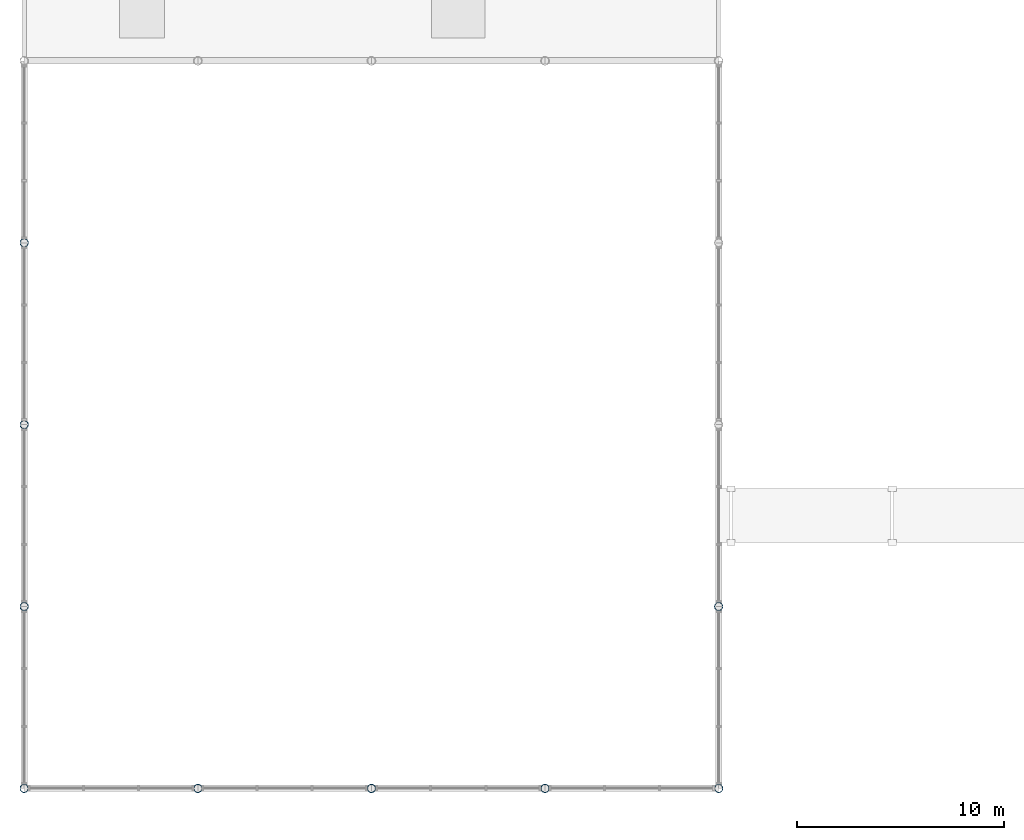
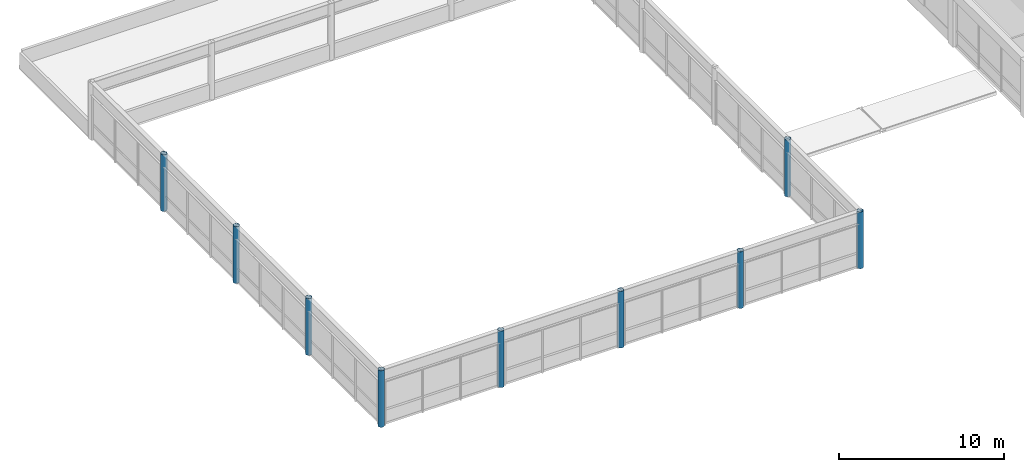
# One storey, part 1 of 46: 9 columns.
"""IFC4 building model written with IfcOpenShell, lengths in metres."""

import ifcopenshell
import ifcopenshell.guid

model = None  # the IFC model being written
_history = None  # IfcOwnerHistory: only IFC2X3 demands one
_inside = {}  # id of a spatial element -> (the spatial element, [elements in it])
_under = {}  # id of a project, library or spatial element -> (it, [spatial elements below it])
_declared = {}  # id of a project -> (the project, [libraries it declares])
_typed = {}  # id of a type object -> (the type object, [elements of that type])
_made_of = {}  # id of a material, layer set ... -> (it, [elements and type objects made of it])


def new_model(schema):
    """Start an empty IFC model of exactly this schema.

    Asked for "IFC4X3", IfcOpenShell would pick the latest addendum, in which some entities
    have other attributes; the version numbers below select the first issue.
    IFC2X3 requires an IfcOwnerHistory on every rooted entity: one is made here for all.
    """
    global model, _history
    if schema == "IFC4X3":
        model = ifcopenshell.file(schema_version=(4, 3, 0, 0))
    else:
        model = ifcopenshell.file(schema=schema)
    _inside.clear()
    _under.clear()
    _declared.clear()
    _typed.clear()
    _made_of.clear()
    _history = None
    if model.schema == "IFC2X3":
        org = make("IfcOrganization", Name="unknown")
        user = make(
            "IfcPersonAndOrganization",
            ThePerson=make("IfcPerson", FamilyName="unknown"),
            TheOrganization=org,
        )
        app = make(
            "IfcApplication",
            ApplicationDeveloper=org,
            Version="unknown",
            ApplicationFullName="unknown",
            ApplicationIdentifier="unknown",
        )
        _history = make(
            "IfcOwnerHistory",
            OwningUser=user,
            OwningApplication=app,
            ChangeAction="ADDED",
            CreationDate=0,
        )
    return model


def make(cls, **values):
    """One entity of the class cls with the attributes given. An attribute that is None is left unset."""
    return model.create_entity(
        cls, **{name: value for name, value in values.items() if value is not None}
    )


def rooted(cls, **values):
    """An entity with a GlobalId (a new one), such as an element, a storey or a relation."""
    return make(cls, GlobalId=ifcopenshell.guid.new(), OwnerHistory=_history, **values)


def si_unit(unit_type, name, prefix=None):
    """IfcSIUnit, for example si_unit("LENGTHUNIT", "METRE", prefix="MILLI")."""
    return make("IfcSIUnit", UnitType=unit_type, Prefix=prefix, Name=name)


def assignment(units):
    """IfcUnitAssignment: the units of a project."""
    return None if units is None else make("IfcUnitAssignment", Units=units)


def point(xyz):
    """IfcCartesianPoint."""
    return None if xyz is None else make("IfcCartesianPoint", Coordinates=xyz)


def direction(xyz):
    """IfcDirection."""
    return None if xyz is None else make("IfcDirection", DirectionRatios=xyz)


def frame(location, z_axis=None, x_axis=None):
    """IfcAxis2Placement3D, a coordinate frame: its origin and axes. An axis left out is left unset."""
    return make(
        "IfcAxis2Placement3D",
        Location=point(location),
        Axis=direction(z_axis),
        RefDirection=direction(x_axis),
    )


def frame_2d(location, x_axis=None):
    """IfcAxis2Placement2D, a coordinate frame in the plane: its origin and x axis."""
    return make(
        "IfcAxis2Placement2D", Location=point(location), RefDirection=direction(x_axis)
    )


def origin():
    """The frame at (0, 0, 0) with its axes left unset."""
    return frame((0.0, 0.0, 0.0))


def origin_2d():
    """The frame at (0, 0) in the plane with its x axis left unset."""
    return frame_2d((0.0, 0.0))


def place(relative_to, where):
    """IfcLocalPlacement: puts the frame where relative to a parent placement (None: the world)."""
    return make(
        "IfcLocalPlacement", PlacementRelTo=relative_to, RelativePlacement=where
    )


def context(
    kind, dimensions, precision=None, world=None, true_north=None, identifier=None
):
    """IfcGeometricRepresentationContext, for example the 3D "Model" context."""
    return make(
        "IfcGeometricRepresentationContext",
        ContextIdentifier=identifier,
        ContextType=kind,
        CoordinateSpaceDimension=dimensions,
        Precision=precision,
        WorldCoordinateSystem=world,
        TrueNorth=true_north,
    )


def subcontext(parent, identifier, kind, view, scale=None):
    """IfcGeometricRepresentationSubContext, for example "Body" below "Model"."""
    return make(
        "IfcGeometricRepresentationSubContext",
        ContextIdentifier=identifier,
        ContextType=kind,
        ParentContext=parent,
        TargetScale=scale,
        TargetView=view,
    )


def project(units=None, contexts=None):
    """IfcProject with its units and contexts."""
    return rooted(
        "IfcProject",
        Name="project",
        RepresentationContexts=contexts,
        UnitsInContext=assignment(units),
    )


def spatial(cls, under=None, at=None, **own):
    """A site, building, storey or space (cls), placed at a placement, below another one or the project."""
    s = rooted(cls, ObjectPlacement=at, **own)
    if under is not None:
        _under.setdefault(under.id(), (under, []))[1].append(s)
    return s


def profile(cls, at=None, kind="AREA", **sizes):
    """A parametric profile (cls). Its sizes go by their IFC names, for example OverallWidth=200.0."""
    return make(cls, ProfileType=kind, Position=at, **sizes)


def hollow_circle(**sizes):
    """IfcCircleHollowProfileDef."""
    return profile("IfcCircleHollowProfileDef", **sizes)


def extrude(swept, where, along, depth):
    """IfcExtrudedAreaSolid: the profile swept, set in the frame where, extruded along a direction by depth."""
    return make(
        "IfcExtrudedAreaSolid",
        SweptArea=swept,
        Position=where,
        ExtrudedDirection=direction(along),
        Depth=depth,
    )


def shape(context_of_items, identifier, shape_type, items):
    """IfcShapeRepresentation: the items that make up one representation, for example the "Body"."""
    return make(
        "IfcShapeRepresentation",
        ContextOfItems=context_of_items,
        RepresentationIdentifier=identifier,
        RepresentationType=shape_type,
        Items=items,
    )


def material(Name=None, Category=None):
    """IfcMaterial."""
    return make("IfcMaterial", Name=Name, Category=Category)


def material_profile(
    of_material, cross_section, Name=None, Category=None, Priority=None
):
    """IfcMaterialProfile: a cross section and its material."""
    return make(
        "IfcMaterialProfile",
        Name=Name,
        Material=of_material,
        Profile=cross_section,
        Priority=Priority,
        Category=Category,
    )


def profile_set(profiles, Name=None, composite=None):
    """IfcMaterialProfileSet."""
    return make(
        "IfcMaterialProfileSet",
        Name=Name,
        MaterialProfiles=profiles,
        CompositeProfile=composite,
    )


def made_of(thing, what):
    """Note that an element or type object is made of a material, layer set ...; save() writes the relation."""
    if what is not None:
        _made_of.setdefault(what.id(), (what, []))[1].append(thing)
    return thing


def type_object(cls, material=None, **own):
    """A type object (cls), such as IfcWallType, which elements share."""
    return made_of(rooted(cls, **own), material)


def element(
    cls,
    number,
    at=None,
    inside=None,
    cuts=None,
    type_object=None,
    material=None,
    context=None,
    identifier="Body",
    shape_type=None,
    held_by="IfcProductDefinitionShape",
    body=None,
    shapes=None,
    **own,
):
    """One element of the class cls, such as IfcWall. Its Tag is "e" and its number.

    at: its placement. inside: the storey or other place that contains it. cuts: it is an
    opening in that element (IfcRelVoidsElement). A single representation is given by context,
    identifier, shape_type and body (its items); several are given by shapes. held_by: the class
    of the entity that holds the representations. save() writes the other relations.
    """
    e = rooted(cls, Tag="e%d" % number, ObjectPlacement=at, **own)
    if body is not None:
        shapes = [shape(context, identifier, shape_type, body)]
    if shapes is not None:
        e.Representation = make(held_by, Representations=shapes)
    if inside is not None:
        _inside.setdefault(inside.id(), (inside, []))[1].append(e)
    if cuts is not None:
        rooted(
            "IfcRelVoidsElement", RelatingBuildingElement=cuts, RelatedOpeningElement=e
        )
    if type_object is not None:
        _typed.setdefault(type_object.id(), (type_object, []))[1].append(e)
    return made_of(e, material)


def aggregate(whole, parts):
    """IfcRelAggregates: a whole, such as a stair, and the parts it consists of."""
    return rooted("IfcRelAggregates", RelatingObject=whole, RelatedObjects=parts)


def save(model, path):
    """Write the relations noted so far, then the file.

    IfcRelAggregates (storeys below a building ...), IfcRelContainedInSpatialStructure (elements
    in a storey), IfcRelDefinesByType, IfcRelAssociatesMaterial and IfcRelDeclares: one each for
    every whole, place, type object, material and project.
    """
    for whole, parts in _under.values():
        aggregate(whole, parts)
    for where, things in _inside.values():
        rooted(
            "IfcRelContainedInSpatialStructure",
            RelatedElements=things,
            RelatingStructure=where,
        )
    for kind, things in _typed.values():
        rooted("IfcRelDefinesByType", RelatedObjects=things, RelatingType=kind)
    for what, things in _made_of.values():
        rooted("IfcRelAssociatesMaterial", RelatedObjects=things, RelatingMaterial=what)
    for by, libraries in _declared.values():
        rooted("IfcRelDeclares", RelatingContext=by, RelatedDefinitions=libraries)
    model.write(path)


model = new_model("IFC4")

# Units and contexts
model_context = context("Model", 3, precision=1e-05, world=origin(), true_north=direction((0.0, 1.0)))
body_context = subcontext(model_context, "Body", "Model", "MODEL_VIEW")
ifc_project = project(units=[si_unit("LENGTHUNIT", "METRE"), si_unit("AREAUNIT", "SQUARE_METRE"), si_unit("VOLUMEUNIT", "CUBIC_METRE"), si_unit("PLANEANGLEUNIT", "RADIAN"), si_unit("MASSUNIT", "GRAM", prefix="KILO")], contexts=[model_context])

# Site, building, storey
site_placement = place(None, origin())
site = spatial("IfcSite", under=ifc_project, at=site_placement, CompositionType="ELEMENT")
building_placement = place(site_placement, origin())
building = spatial("IfcBuilding", under=site, at=building_placement, Name="Kemercrest Conservatory and Botanical Centre", CompositionType="ELEMENT")
storey_placement = place(building_placement, frame((0.0, 0.0, 9.0)))
storey = spatial("IfcBuildingStorey", under=building, at=storey_placement, Name="L02", CompositionType="ELEMENT", Elevation=9.0)

# Columns
ifc_material = material(Name="Steel CSA G40.21 350W", Category="steel")
ifc_material_profile = material_profile(ifc_material, hollow_circle(Radius=0.203125, WallThickness=0.01611328125, at=origin_2d()), Name="CHS 406.4x16.0")
ifc_profile_set = profile_set([ifc_material_profile], Name="Steel CSA G40.21 350W")
column_type = type_object("IfcColumnType", Name="C-S406", PredefinedType="COLUMN", material=ifc_profile_set)
for number, where, z_axis, x_axis, name in (
    (1, (8.0, 16.800048828125, 0.0), (0.0, 0.0, 1.0), (1.0, 0.0, 0.0), "Conservatory perimeter steel column 01/B"),
    (2, (8.0, 25.60009765625, 0.0), (0.0, 0.0, 1.0), (1.0, 0.0, 0.0), "Conservatory perimeter steel column 01/C"),
    (3, (8.0, 34.39990234375, 0.0), (0.0, 0.0, 1.0), (1.0, 0.0, 0.0), "Conservatory perimeter steel column 01/D"),
    (4, (8.0, 43.199951171875, 0.0), (0.0, 0.0, 1.0), (1.0, 0.0, 0.0), "Conservatory perimeter steel column 01/E"),
    (5, (16.39990234375, 16.800048828125, 0.0), (0.0, 0.0, 1.0), (1.0, 0.0, 0.0), "Conservatory perimeter steel column 02/B"),
    (6, (24.800048828125, 16.800048828125, 0.0), (0.0, 0.0, 1.0), (1.0, 0.0, 0.0), "Conservatory perimeter steel column 03/B"),
    (7, (33.199951171875, 16.800048828125, 0.0), (0.0, 0.0, 1.0), (1.0, 0.0, 0.0), "Conservatory perimeter steel column 04/B"),
    (8, (41.60009765625, 16.800048828125, 0.0), (0.0, 0.0, 1.0), (1.0, 0.0, 0.0), "Conservatory perimeter steel column 05/B"),
    (9, (41.60009765625, 25.60009765625, 0.0), (0.0, 0.0, 1.0), (1.0, 0.0, 0.0), "Conservatory perimeter steel column 05/C"),
):
    element("IfcColumn", number, at=place(storey_placement, frame(where, z_axis=z_axis, x_axis=x_axis)), inside=storey, type_object=column_type, Name=name, PredefinedType="COLUMN", context=body_context, shape_type="SweptSolid", body=[
        extrude(hollow_circle(Radius=0.203125, WallThickness=0.01611328125, at=origin_2d()), origin(), (0.0, 0.0, 1.0), 4.199951171875),
    ])

save(model, "model.ifc")
